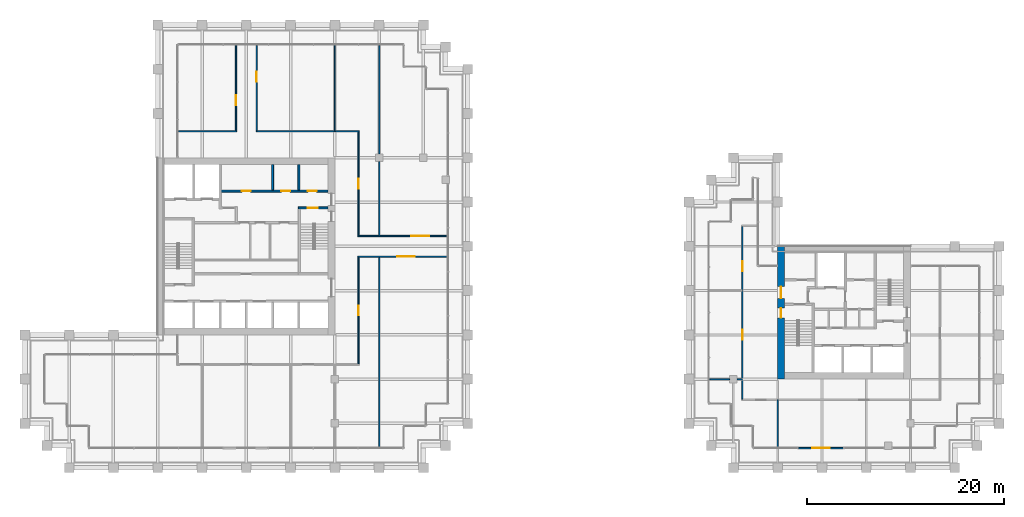
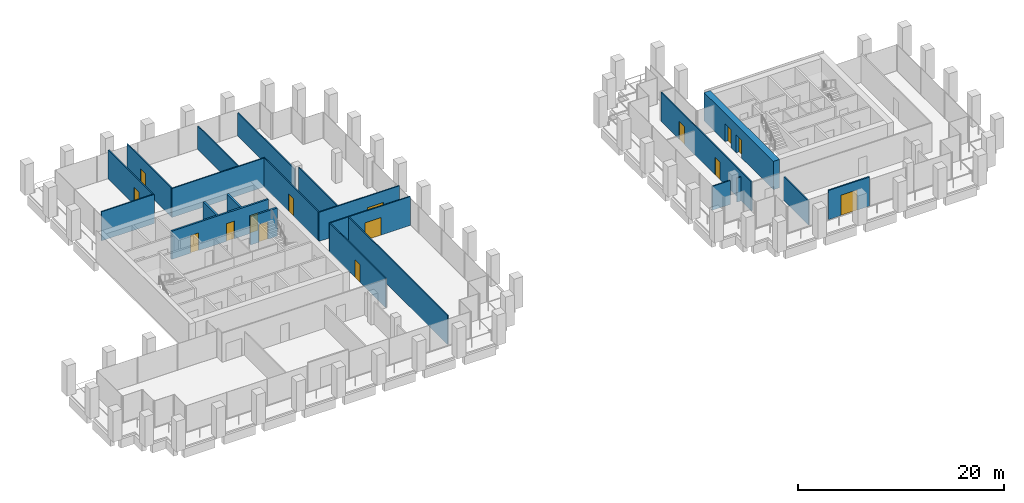
# One storey, part 42 of 46: 22 walls, 15 doors, 15 openings.
"""IFC4 building model written with IfcOpenShell, lengths in metres."""

from ifc_helpers import new_model, si_unit, direction, frame, frame_2d, origin, place, context, subcontext, project, spatial, rectangle, extrude, material, layer, layer_set, type_object, element, fill, save


model = new_model("IFC4")

# Units and contexts
model_context = context("Model", 3, precision=1e-05, world=origin(), true_north=direction((0.0, 1.0)))
body_context = subcontext(model_context, "Body", "Model", "MODEL_VIEW")
ifc_project = project(units=[si_unit("LENGTHUNIT", "METRE"), si_unit("AREAUNIT", "SQUARE_METRE"), si_unit("VOLUMEUNIT", "CUBIC_METRE"), si_unit("PLANEANGLEUNIT", "RADIAN"), si_unit("MASSUNIT", "GRAM", prefix="KILO")], contexts=[model_context])

# Site, building, storey
site_placement = place(None, origin())
site = spatial("IfcSite", under=ifc_project, at=site_placement, CompositionType="ELEMENT")
building_placement = place(site_placement, origin())
building = spatial("IfcBuilding", under=site, at=building_placement, Name="Altepetl Exchange Towers", CompositionType="ELEMENT")
storey_placement = place(building_placement, frame((0.0, 0.0, 102.800048828125)))
storey = spatial("IfcBuildingStorey", under=building, at=storey_placement, Name="L25", CompositionType="ELEMENT", Elevation=102.800048828125)

# Wall, openings, doors
ifc_material_1 = material(Name="Concrete C70/85", Category="concrete")
ifc_layer_1 = layer(ifc_material_1, 0.699951171875)
ifc_layer_set_1 = layer_set([ifc_layer_1], Name="Concrete C70/85")
wall_type_1 = type_object("IfcWallType", Name="Core wall 700 reinforced concrete", PredefinedType="SHEAR", material=ifc_layer_set_1)
wall_1_placement = place(storey_placement, frame((103.85009765625, 36.0, 0.0), z_axis=(0.0, 0.0, 1.0), x_axis=(0.0, 1.0, 0.0)))
wall_1 = element("IfcWall", 1, at=wall_1_placement, inside=storey, type_object=wall_type_1, Name="wall:B:L25:K-coreW", PredefinedType="SHEAR", context=body_context, shape_type="SweptSolid", body=[
    extrude(rectangle(XDim=13.5, YDim=0.699951171875, at=frame_2d((6.75, 0.0))), origin(), (0.0, 0.0, 1.0), 3.349853515625),
])
opening_1_placement = place(wall_1_placement, frame((8.199951171875, 0.0, 0.0)))
opening_1 = element("IfcOpeningElement", 2, at=opening_1_placement, cuts=wall_1, Name="Opening L25.B60", PredefinedType="OPENING", context=body_context, shape_type="SweptSolid", body=[
    extrude(rectangle(XDim=1.199951171875, YDim=2.10009765625, at=frame_2d((0.60009765625, 1.050048828125))), frame((0.0, 0.35986328125, 0.0), z_axis=(0.0, -1.0, 0.0), x_axis=(1.0, 0.0, 0.0)), (0.0, 0.0, 1.0), 0.719970703125),
])
opening_2_placement = place(wall_1_placement, frame((6.22509765625, 0.0, 0.0)))
opening_2 = element("IfcOpeningElement", 3, at=opening_2_placement, cuts=wall_1, Name="Opening L25.B63", PredefinedType="OPENING", context=body_context, shape_type="SweptSolid", body=[
    extrude(rectangle(XDim=1.0, YDim=2.10009765625, at=frame_2d((0.5, 1.050048828125))), frame((0.0, 0.35986328125, 0.0), z_axis=(0.0, -1.0, 0.0), x_axis=(1.0, 0.0, 0.0)), (0.0, 0.0, 1.0), 0.719970703125),
])
ifc_material_2 = material(Name="Steel and timber fire door", Category="steel")
door_type_1 = type_object("IfcDoorType", Name="Fire door 1000 x 2100 stair and lobby", OperationType="SINGLE_SWING_LEFT", PredefinedType="DOOR", material=ifc_material_2)
door_1_placement = place(opening_2_placement, frame((1.0, 0.0, 0.0), x_axis=(-1.0, 0.0, 0.0)))
door_1 = element("IfcDoor", 4, at=door_1_placement, inside=storey, type_object=door_type_1, Name="door:B:L25:K-dS1x", OperationType="SINGLE_SWING_RIGHT", OverallHeight=2.10009765625, OverallWidth=1.0, PredefinedType="DOOR", context=body_context, shape_type="SweptSolid", body=[
    extrude(rectangle(XDim=1.0, YDim=2.10009765625, at=frame_2d((0.5, 1.050048828125))), frame((0.0, 0.02490234375, 0.0), z_axis=(0.0, -1.0, 0.0), x_axis=(1.0, 0.0, 0.0)), (0.0, 0.0, 1.0), 0.050048828125),
])
fill(opening_2, door_1)
door_type_2 = type_object("IfcDoorType", Name="Fire door 1200 x 2100 lobby entry", OperationType="SINGLE_SWING_LEFT", PredefinedType="DOOR", material=ifc_material_2)
door_2_placement = place(opening_1_placement, frame((1.199951171875, 0.0, 0.0), x_axis=(-1.0, 0.0, 0.0)))
door_2 = element("IfcDoor", 5, at=door_2_placement, inside=storey, type_object=door_type_2, Name="door:B:L25:K-dLNW", OperationType="SINGLE_SWING_RIGHT", OverallHeight=2.10009765625, OverallWidth=1.199951171875, PredefinedType="DOOR", context=body_context, shape_type="SweptSolid", body=[
    extrude(rectangle(XDim=1.199951171875, YDim=2.10009765625, at=frame_2d((0.60009765625, 1.050048828125))), frame((0.0, 0.02490234375, 0.0), z_axis=(0.0, -1.0, 0.0), x_axis=(1.0, 0.0, 0.0)), (0.0, 0.0, 1.0), 0.050048828125),
])
fill(opening_1, door_2)

# Wall, opening, door
ifc_material_3 = material(Name="Aluminium composite cladding", Category="aluminium")
ifc_layer_2 = layer(ifc_material_3, 0.14990234375)
ifc_layer_set_2 = layer_set([ifc_layer_2], Name="Aluminium composite cladding")
wall_type_2 = type_object("IfcWallType", Name="Infill wall 150 aluminium panel", PredefinedType="SOLIDWALL", material=ifc_layer_set_2)
wall_2_placement = place(storey_placement, frame((105.606201171875, 29.0, 0.0)))
wall_2 = element("IfcWall", 6, at=wall_2_placement, inside=storey, type_object=wall_type_2, Name="Loggia door bay wall", PredefinedType="SOLIDWALL", context=body_context, shape_type="SweptSolid", body=[
    extrude(rectangle(XDim=4.606201171875, YDim=0.14990234375, at=frame_2d((2.30322265625, 0.0))), origin(), (0.0, 0.0, 1.0), 3.449951171875),
])
opening_3_placement = place(wall_2_placement, frame((1.403076171875, 0.0, 0.0)))
opening_3 = element("IfcOpeningElement", 7, at=opening_3_placement, cuts=wall_2, Name="Opening L25.B90", PredefinedType="OPENING", context=body_context, shape_type="SweptSolid", body=[
    extrude(rectangle(XDim=1.800048828125, YDim=2.39990234375, at=frame_2d((0.89990234375, 1.199951171875))), frame((0.0, 0.0849609375, 0.0), z_axis=(0.0, -1.0, 0.0), x_axis=(1.0, 0.0, 0.0)), (0.0, 0.0, 1.0), 0.169921875),
])
ifc_material_4 = material(Name="Aluminium 6063-T6 and glass", Category="aluminium")
door_type_3 = type_object("IfcDoorType", Name="Glazed door pair 1800x2400", OperationType="DOUBLE_DOOR_DOUBLE_SWING", PredefinedType="NOTDEFINED", material=ifc_material_4)
door_3_placement = place(opening_3_placement, frame((1.800048828125, 0.0, 0.0), x_axis=(-1.0, 0.0, 0.0)))
door_3 = element("IfcDoor", 8, at=door_3_placement, inside=storey, type_object=door_type_3, Name="Loggia door", OperationType="DOUBLE_DOOR_DOUBLE_SWING", OverallHeight=2.39990234375, OverallWidth=1.800048828125, PredefinedType="NOTDEFINED", context=body_context, shape_type="SweptSolid", body=[
    extrude(rectangle(XDim=1.800048828125, YDim=2.39990234375, at=frame_2d((0.89990234375, 1.199951171875))), frame((0.0, 0.02490234375, 0.0), z_axis=(0.0, -1.0, 0.0), x_axis=(1.0, 0.0, 0.0)), (0.0, 0.0, 1.0), 0.050048828125),
])
fill(opening_3, door_3)

# Wall
ifc_material_5 = material(Name="Timber panels on aluminium track", Category="wood")
ifc_layer_3 = layer(ifc_material_5, 0.125)
ifc_layer_set_3 = layer_set([ifc_layer_3], Name="Timber panels on aluminium track")
wall_type_3 = type_object("IfcWallType", Name="Operable acoustic partition 125", PredefinedType="MOVABLE", material=ifc_layer_set_3)
wall_3_placement = place(storey_placement, frame((58.5, 61.199951171875, 0.0), z_axis=(0.0, 0.0, 1.0), x_axis=(0.0, 1.0, 0.0)))
element("IfcWall", 9, at=wall_3_placement, inside=storey, type_object=wall_type_3, Name="wall:A:L25:P14", PredefinedType="MOVABLE", context=body_context, shape_type="SweptSolid", body=[
    extrude(rectangle(XDim=8.699951171875, YDim=0.125, at=frame_2d((4.35009765625, 0.0))), origin(), (0.0, 0.0, 1.0), 2.765869140625),
])

# Wall, opening, door
ifc_material_6 = material(Name="Gypsum board on steel studs", Category="steel")
ifc_layer_4 = layer(ifc_material_6, 0.125)
ifc_layer_set_4 = layer_set([ifc_layer_4], Name="Gypsum board on steel studs")
wall_type_4 = type_object("IfcWallType", Name="Partition 125 gypsum board on steel studs", PredefinedType="PARTITIONING", material=ifc_layer_set_4)
wall_4_placement = place(storey_placement, frame((60.83740234375, 48.449951171875, 0.0)))
wall_4 = element("IfcWall", 10, at=wall_4_placement, inside=storey, type_object=wall_type_4, Name="wall:A:L25:P02", PredefinedType="PARTITIONING", context=body_context, shape_type="SweptSolid", body=[
    extrude(rectangle(XDim=9.0625, YDim=0.125, at=frame_2d((4.53125, 0.0))), origin(), (0.0, 0.0, 1.0), 3.449951171875),
])
opening_4_placement = place(wall_4_placement, frame((3.9775390625, 0.0, 0.0)))
opening_4 = element("IfcOpeningElement", 11, at=opening_4_placement, cuts=wall_4, Name="Opening L25.A05", PredefinedType="OPENING", context=body_context, shape_type="SweptSolid", body=[
    extrude(rectangle(XDim=1.800048828125, YDim=2.10009765625, at=frame_2d((0.89990234375, 1.050048828125))), frame((0.0, 0.072509765625, 0.0), z_axis=(0.0, -1.0, 0.0), x_axis=(1.0, 0.0, 0.0)), (0.0, 0.0, 1.0), 0.14501953125),
])
door_type_4 = type_object("IfcDoorType", Name="Fire door 1800 x 2100 double leaf", OperationType="DOUBLE_DOOR_SINGLE_SWING", PredefinedType="DOOR", material=ifc_material_2)
door_4_placement = place(opening_4_placement, frame((1.800048828125, 0.0, 0.0), x_axis=(-1.0, 0.0, 0.0)))
door_4 = element("IfcDoor", 12, at=door_4_placement, inside=storey, type_object=door_type_4, Name="door:A:L25:05", OperationType="DOUBLE_DOOR_SINGLE_SWING", OverallHeight=2.10009765625, OverallWidth=1.800048828125, PredefinedType="DOOR", context=body_context, shape_type="SweptSolid", body=[
    extrude(rectangle(XDim=1.800048828125, YDim=2.10009765625, at=frame_2d((0.89990234375, 1.050048828125))), frame((0.0, 0.02490234375, 0.0), z_axis=(0.0, -1.0, 0.0), x_axis=(1.0, 0.0, 0.0)), (0.0, 0.0, 1.0), 0.050048828125),
])
fill(opening_4, door_4)

wall_5_placement = place(storey_placement, frame((60.83740234375, 50.550048828125, 0.0)))
wall_5 = element("IfcWall", 13, at=wall_5_placement, inside=storey, type_object=wall_type_4, Name="wall:A:L25:P03", PredefinedType="PARTITIONING", context=body_context, shape_type="SweptSolid", body=[
    extrude(rectangle(XDim=9.0625, YDim=0.125, at=frame_2d((4.53125, 0.0))), origin(), (0.0, 0.0, 1.0), 3.449951171875),
])
opening_5_placement = place(wall_5_placement, frame((5.447509765625, 0.0, 0.0)))
opening_5 = element("IfcOpeningElement", 14, at=opening_5_placement, cuts=wall_5, Name="Opening L25.A06", PredefinedType="OPENING", context=body_context, shape_type="SweptSolid", body=[
    extrude(rectangle(XDim=1.800048828125, YDim=2.10009765625, at=frame_2d((0.89990234375, 1.050048828125))), frame((0.0, 0.072509765625, 0.0), z_axis=(0.0, -1.0, 0.0), x_axis=(1.0, 0.0, 0.0)), (0.0, 0.0, 1.0), 0.14501953125),
])
door_5_placement = place(opening_5_placement, origin())
door_5 = element("IfcDoor", 15, at=door_5_placement, inside=storey, type_object=door_type_4, Name="door:A:L25:06", OperationType="DOUBLE_DOOR_SINGLE_SWING", OverallHeight=2.10009765625, OverallWidth=1.800048828125, PredefinedType="DOOR", context=body_context, shape_type="SweptSolid", body=[
    extrude(rectangle(XDim=1.800048828125, YDim=2.10009765625, at=frame_2d((0.89990234375, 1.050048828125))), frame((0.0, 0.02490234375, 0.0), z_axis=(0.0, -1.0, 0.0), x_axis=(1.0, 0.0, 0.0)), (0.0, 0.0, 1.0), 0.050048828125),
])
fill(opening_5, door_5)

# Walls
wall_6_placement = place(storey_placement, frame((42.60009765625, 61.199951171875, 0.0)))
element("IfcWall", 16, at=wall_6_placement, inside=storey, type_object=wall_type_4, Name="wall:A:L25:P04", PredefinedType="PARTITIONING", context=body_context, shape_type="SweptSolid", body=[
    extrude(rectangle(XDim=5.912353515625, YDim=0.125, at=frame_2d((2.9560546875, 0.0))), origin(), (0.0, 0.0, 1.0), 3.449951171875),
])
wall_7_placement = place(storey_placement, frame((50.487548828125, 61.199951171875, 0.0)))
element("IfcWall", 17, at=wall_7_placement, inside=storey, type_object=wall_type_4, Name="wall:A:L25:P05", PredefinedType="PARTITIONING", context=body_context, shape_type="SweptSolid", body=[
    extrude(rectangle(XDim=10.474853515625, YDim=0.125, at=frame_2d((5.2373046875, 0.0))), origin(), (0.0, 0.0, 1.0), 3.449951171875),
])

# Wall, opening, door
wall_8_placement = place(storey_placement, frame((48.449951171875, 61.262451171875, 0.0), z_axis=(0.0, 0.0, 1.0), x_axis=(0.0, 1.0, 0.0)))
wall_8 = element("IfcWall", 18, at=wall_8_placement, inside=storey, type_object=wall_type_4, Name="wall:A:L25:P08", PredefinedType="PARTITIONING", context=body_context, shape_type="SweptSolid", body=[
    extrude(rectangle(XDim=8.637451171875, YDim=0.125, at=frame_2d((4.31884765625, 0.0))), origin(), (0.0, 0.0, 1.0), 3.449951171875),
])
opening_6_placement = place(wall_8_placement, frame((2.597412109375, 0.0, 0.0)))
opening_6 = element("IfcOpeningElement", 19, at=opening_6_placement, cuts=wall_8, Name="Opening L25.A08", PredefinedType="OPENING", context=body_context, shape_type="SweptSolid", body=[
    extrude(rectangle(XDim=1.0, YDim=2.10009765625, at=frame_2d((0.5, 1.050048828125))), frame((0.0, 0.072509765625, 0.0), z_axis=(0.0, -1.0, 0.0), x_axis=(1.0, 0.0, 0.0)), (0.0, 0.0, 1.0), 0.14501953125),
])
door_type_5 = type_object("IfcDoorType", Name="Fire door 1000 x 2100 single leaf", OperationType="SINGLE_SWING_LEFT", PredefinedType="DOOR", material=ifc_material_2)
door_6_placement = place(opening_6_placement, origin())
door_6 = element("IfcDoor", 20, at=door_6_placement, inside=storey, type_object=door_type_5, Name="door:A:L25:08", OperationType="SINGLE_SWING_LEFT", OverallHeight=2.10009765625, OverallWidth=1.0, PredefinedType="DOOR", context=body_context, shape_type="SweptSolid", body=[
    extrude(rectangle(XDim=1.0, YDim=2.10009765625, at=frame_2d((0.5, 1.050048828125))), frame((0.0, 0.02490234375, 0.0), z_axis=(0.0, -1.0, 0.0), x_axis=(1.0, 0.0, 0.0)), (0.0, 0.0, 1.0), 0.050048828125),
])
fill(opening_6, door_6)

wall_9_placement = place(storey_placement, frame((50.550048828125, 61.262451171875, 0.0), z_axis=(0.0, 0.0, 1.0), x_axis=(0.0, 1.0, 0.0)))
wall_9 = element("IfcWall", 21, at=wall_9_placement, inside=storey, type_object=wall_type_4, Name="wall:A:L25:P09", PredefinedType="PARTITIONING", context=body_context, shape_type="SweptSolid", body=[
    extrude(rectangle(XDim=8.637451171875, YDim=0.125, at=frame_2d((4.31884765625, 0.0))), origin(), (0.0, 0.0, 1.0), 3.449951171875),
])
opening_7_placement = place(wall_9_placement, frame((4.9775390625, 0.0, 0.0)))
opening_7 = element("IfcOpeningElement", 22, at=opening_7_placement, cuts=wall_9, Name="Opening L25.A09", PredefinedType="OPENING", context=body_context, shape_type="SweptSolid", body=[
    extrude(rectangle(XDim=1.0, YDim=2.10009765625, at=frame_2d((0.5, 1.050048828125))), frame((0.0, 0.072509765625, 0.0), z_axis=(0.0, -1.0, 0.0), x_axis=(1.0, 0.0, 0.0)), (0.0, 0.0, 1.0), 0.14501953125),
])
door_7_placement = place(opening_7_placement, frame((1.0, 0.0, 0.0), x_axis=(-1.0, 0.0, 0.0)))
door_7 = element("IfcDoor", 23, at=door_7_placement, inside=storey, type_object=door_type_5, Name="door:A:L25:09", OperationType="SINGLE_SWING_RIGHT", OverallHeight=2.10009765625, OverallWidth=1.0, PredefinedType="DOOR", context=body_context, shape_type="SweptSolid", body=[
    extrude(rectangle(XDim=1.0, YDim=2.10009765625, at=frame_2d((0.5, 1.050048828125))), frame((0.0, 0.02490234375, 0.0), z_axis=(0.0, -1.0, 0.0), x_axis=(1.0, 0.0, 0.0)), (0.0, 0.0, 1.0), 0.050048828125),
])
fill(opening_7, door_7)

wall_10_placement = place(storey_placement, frame((60.89990234375, 37.5625, 0.0), z_axis=(0.0, 0.0, 1.0), x_axis=(0.0, 1.0, 0.0)))
wall_10 = element("IfcWall", 24, at=wall_10_placement, inside=storey, type_object=wall_type_4, Name="wall:A:L25:P15", PredefinedType="PARTITIONING", context=body_context, shape_type="SweptSolid", body=[
    extrude(rectangle(XDim=10.824951171875, YDim=0.125, at=frame_2d((5.41259765625, 0.0))), origin(), (0.0, 0.0, 1.0), 3.449951171875),
])
opening_8_placement = place(wall_10_placement, frame((4.91259765625, 0.0, 0.0)))
opening_8 = element("IfcOpeningElement", 25, at=opening_8_placement, cuts=wall_10, Name="Opening L25.A04", PredefinedType="OPENING", context=body_context, shape_type="SweptSolid", body=[
    extrude(rectangle(XDim=1.0, YDim=2.10009765625, at=frame_2d((0.5, 1.050048828125))), frame((0.0, 0.072509765625, 0.0), z_axis=(0.0, -1.0, 0.0), x_axis=(1.0, 0.0, 0.0)), (0.0, 0.0, 1.0), 0.14501953125),
])
door_8_placement = place(opening_8_placement, frame((1.0, 0.0, 0.0), x_axis=(-1.0, 0.0, 0.0)))
door_8 = element("IfcDoor", 26, at=door_8_placement, inside=storey, type_object=door_type_5, Name="door:A:L25:04", OperationType="SINGLE_SWING_RIGHT", OverallHeight=2.10009765625, OverallWidth=1.0, PredefinedType="DOOR", context=body_context, shape_type="SweptSolid", body=[
    extrude(rectangle(XDim=1.0, YDim=2.10009765625, at=frame_2d((0.5, 1.050048828125))), frame((0.0, 0.02490234375, 0.0), z_axis=(0.0, -1.0, 0.0), x_axis=(1.0, 0.0, 0.0)), (0.0, 0.0, 1.0), 0.050048828125),
])
fill(opening_8, door_8)

wall_11_placement = place(storey_placement, frame((60.89990234375, 50.612548828125, 0.0), z_axis=(0.0, 0.0, 1.0), x_axis=(0.0, 1.0, 0.0)))
wall_11 = element("IfcWall", 27, at=wall_11_placement, inside=storey, type_object=wall_type_4, Name="wall:A:L25:P16", PredefinedType="PARTITIONING", context=body_context, shape_type="SweptSolid", body=[
    extrude(rectangle(XDim=10.52490234375, YDim=0.125, at=frame_2d((5.262451171875, 0.0))), origin(), (0.0, 0.0, 1.0), 3.449951171875),
])
opening_9_placement = place(wall_11_placement, frame((4.762451171875, 0.0, 0.0)))
opening_9 = element("IfcOpeningElement", 28, at=opening_9_placement, cuts=wall_11, Name="Opening L25.A07", PredefinedType="OPENING", context=body_context, shape_type="SweptSolid", body=[
    extrude(rectangle(XDim=1.0, YDim=2.10009765625, at=frame_2d((0.5, 1.050048828125))), frame((0.0, 0.072509765625, 0.0), z_axis=(0.0, -1.0, 0.0), x_axis=(1.0, 0.0, 0.0)), (0.0, 0.0, 1.0), 0.14501953125),
])
door_9_placement = place(opening_9_placement, frame((1.0, 0.0, 0.0), x_axis=(-1.0, 0.0, 0.0)))
door_9 = element("IfcDoor", 29, at=door_9_placement, inside=storey, type_object=door_type_5, Name="door:A:L25:07", OperationType="SINGLE_SWING_RIGHT", OverallHeight=2.10009765625, OverallWidth=1.0, PredefinedType="DOOR", context=body_context, shape_type="SweptSolid", body=[
    extrude(rectangle(XDim=1.0, YDim=2.10009765625, at=frame_2d((0.5, 1.050048828125))), frame((0.0, 0.02490234375, 0.0), z_axis=(0.0, -1.0, 0.0), x_axis=(1.0, 0.0, 0.0)), (0.0, 0.0, 1.0), 0.050048828125),
])
fill(opening_9, door_9)

# Walls
wall_12_placement = place(storey_placement, frame((63.0, 29.10009765625, 0.0), z_axis=(0.0, 0.0, 1.0), x_axis=(0.0, 1.0, 0.0)))
element("IfcWall", 30, at=wall_12_placement, inside=storey, type_object=wall_type_4, Name="wall:A:L25:P17", PredefinedType="PARTITIONING", context=body_context, shape_type="SweptSolid", body=[
    extrude(rectangle(XDim=19.349853515625, YDim=0.125, at=frame_2d((9.6748046875, 0.0))), origin(), (0.0, 0.0, 1.0), 3.449951171875),
])
wall_13_placement = place(storey_placement, frame((63.0, 50.550048828125, 0.0), z_axis=(0.0, 0.0, 1.0), x_axis=(0.0, 1.0, 0.0)))
element("IfcWall", 31, at=wall_13_placement, inside=storey, type_object=wall_type_4, Name="wall:A:L25:P18", PredefinedType="PARTITIONING", context=body_context, shape_type="SweptSolid", body=[
    extrude(rectangle(XDim=7.574951171875, YDim=0.125, at=frame_2d((3.78759765625, 0.0))), origin(), (0.0, 0.0, 1.0), 3.449951171875),
])
wall_14_placement = place(storey_placement, frame((63.0, 58.875, 0.0), z_axis=(0.0, 0.0, 1.0), x_axis=(0.0, 1.0, 0.0)))
element("IfcWall", 32, at=wall_14_placement, inside=storey, type_object=wall_type_4, Name="wall:A:L25:P19", PredefinedType="PARTITIONING", context=body_context, shape_type="SweptSolid", body=[
    extrude(rectangle(XDim=11.02490234375, YDim=0.125, at=frame_2d((5.512451171875, 0.0))), origin(), (0.0, 0.0, 1.0), 2.765869140625),
])
wall_15_placement = place(storey_placement, frame((96.60009765625, 36.0, 0.0)))
element("IfcWall", 33, at=wall_15_placement, inside=storey, type_object=wall_type_4, Name="wall:B:L25:P02", PredefinedType="PARTITIONING", context=body_context, shape_type="SweptSolid", body=[
    extrude(rectangle(XDim=2.02490234375, YDim=0.125, at=frame_2d((1.012451171875, 0.0))), origin(), (0.0, 0.0, 1.0), 2.842041015625),
])
wall_16_placement = place(storey_placement, frame((99.375, 36.0, 0.0)))
element("IfcWall", 34, at=wall_16_placement, inside=storey, type_object=wall_type_4, Name="wall:B:L25:P03", PredefinedType="PARTITIONING", context=body_context, shape_type="SweptSolid", body=[
    extrude(rectangle(XDim=0.52490234375, YDim=0.125, at=frame_2d((0.262451171875, 0.0))), origin(), (0.0, 0.0, 1.0), 2.842041015625),
])

# Wall, openings, doors
wall_17_placement = place(storey_placement, frame((99.89990234375, 33.96240234375, 0.0), z_axis=(0.0, 0.0, 1.0), x_axis=(0.0, 1.0, 0.0)))
wall_17 = element("IfcWall", 35, at=wall_17_placement, inside=storey, type_object=wall_type_4, Name="wall:B:L25:P06", PredefinedType="PARTITIONING", context=body_context, shape_type="SweptSolid", body=[
    extrude(rectangle(XDim=17.5751953125, YDim=0.125, at=frame_2d((8.78759765625, 0.0))), origin(), (0.0, 0.0, 1.0), 3.449951171875),
])
opening_10_placement = place(wall_17_placement, frame((6.03759765625, 0.0, 0.0)))
opening_10 = element("IfcOpeningElement", 36, at=opening_10_placement, cuts=wall_17, Name="Opening L25.B01", PredefinedType="OPENING", context=body_context, shape_type="SweptSolid", body=[
    extrude(rectangle(XDim=1.0, YDim=2.10009765625, at=frame_2d((0.5, 1.050048828125))), frame((0.0, 0.072509765625, 0.0), z_axis=(0.0, -1.0, 0.0), x_axis=(1.0, 0.0, 0.0)), (0.0, 0.0, 1.0), 0.14501953125),
])
opening_11_placement = place(wall_17_placement, frame((13.014404296875, 0.0, 0.0)))
opening_11 = element("IfcOpeningElement", 37, at=opening_11_placement, cuts=wall_17, Name="Opening L25.B05", PredefinedType="OPENING", context=body_context, shape_type="SweptSolid", body=[
    extrude(rectangle(XDim=1.0, YDim=2.10009765625, at=frame_2d((0.5, 1.050048828125))), frame((0.0, 0.072509765625, 0.0), z_axis=(0.0, -1.0, 0.0), x_axis=(1.0, 0.0, 0.0)), (0.0, 0.0, 1.0), 0.14501953125),
])
door_10_placement = place(opening_10_placement, origin())
door_10 = element("IfcDoor", 38, at=door_10_placement, inside=storey, type_object=door_type_5, Name="door:B:L25:01", OperationType="SINGLE_SWING_LEFT", OverallHeight=2.10009765625, OverallWidth=1.0, PredefinedType="DOOR", context=body_context, shape_type="SweptSolid", body=[
    extrude(rectangle(XDim=1.0, YDim=2.10009765625, at=frame_2d((0.5, 1.050048828125))), frame((0.0, 0.02490234375, 0.0), z_axis=(0.0, -1.0, 0.0), x_axis=(1.0, 0.0, 0.0)), (0.0, 0.0, 1.0), 0.050048828125),
])
fill(opening_10, door_10)
door_11_placement = place(opening_11_placement, origin())
door_11 = element("IfcDoor", 39, at=door_11_placement, inside=storey, type_object=door_type_5, Name="door:B:L25:05", OperationType="SINGLE_SWING_RIGHT", OverallHeight=2.10009765625, OverallWidth=1.0, PredefinedType="DOOR", context=body_context, shape_type="SweptSolid", body=[
    extrude(rectangle(XDim=1.0, YDim=2.10009765625, at=frame_2d((0.5, 1.050048828125))), frame((0.0, 0.02490234375, 0.0), z_axis=(0.0, -1.0, 0.0), x_axis=(1.0, 0.0, 0.0)), (0.0, 0.0, 1.0), 0.050048828125),
])
fill(opening_11, door_11)

# Walls
wall_18_placement = place(storey_placement, frame((103.5, 29.10009765625, 0.0), z_axis=(0.0, 0.0, 1.0), x_axis=(0.0, 1.0, 0.0)))
element("IfcWall", 40, at=wall_18_placement, inside=storey, type_object=wall_type_4, Name="wall:B:L25:P07", PredefinedType="PARTITIONING", context=body_context, shape_type="SweptSolid", body=[
    extrude(rectangle(XDim=4.7998046875, YDim=0.125, at=frame_2d((2.39990234375, 0.0))), origin(), (0.0, 0.0, 1.0), 2.850830078125),
])
ifc_material_7 = material(Name="Concrete C40/50", Category="concrete")
ifc_layer_5 = layer(ifc_material_7, 0.199951171875)
ifc_layer_set_5 = layer_set([ifc_layer_5], Name="Concrete C40/50")
wall_type_5 = type_object("IfcWallType", Name="Shaft wall 200 reinforced concrete", PredefinedType="SHEAR", material=ifc_layer_set_5)
for number, where, z_axis, x_axis, name in (
    (41, (52.166748046875, 57.800048828125, 0.0), (0.0, 0.0, 1.0), (0.0, -1.0, 0.0), "wall:A:L25:K-divN4"),
    (42, (54.833251953125, 57.800048828125, 0.0), (0.0, 0.0, 1.0), (0.0, -1.0, 0.0), "wall:A:L25:K-divN5"),
):
    element("IfcWall", number, at=place(storey_placement, frame(where, z_axis=z_axis, x_axis=x_axis)), inside=storey, type_object=wall_type_5, Name=name, PredefinedType="SHEAR", context=body_context, shape_type="SweptSolid", body=[
        extrude(rectangle(XDim=2.60009765625, YDim=0.199951171875, at=frame_2d((1.300048828125, 0.0))), origin(), (0.0, 0.0, 1.0), 3.349853515625),
    ])

# Wall, openings, doors
wall_19_placement = place(storey_placement, frame((46.933349609375, 55.10009765625, 0.0)))
wall_19 = element("IfcWall", 43, at=wall_19_placement, inside=storey, type_object=wall_type_5, Name="wall:A:L25:K-frontNb", PredefinedType="SHEAR", context=body_context, shape_type="SweptSolid", body=[
    extrude(rectangle(XDim=10.86669921875, YDim=0.199951171875, at=frame_2d((5.433349609375, 0.0))), origin(), (0.0, 0.0, 1.0), 3.349853515625),
])
opening_12_placement = place(wall_19_placement, frame((8.83349609375, 0.0, 0.0)))
opening_12 = element("IfcOpeningElement", 44, at=opening_12_placement, cuts=wall_19, Name="Opening L25.A66", PredefinedType="OPENING", context=body_context, shape_type="SweptSolid", body=[
    extrude(rectangle(XDim=0.89990234375, YDim=2.10009765625, at=frame_2d((0.449951171875, 1.050048828125))), frame((0.0, 0.10986328125, 0.0), z_axis=(0.0, -1.0, 0.0), x_axis=(1.0, 0.0, 0.0)), (0.0, 0.0, 1.0), 0.219970703125),
])
opening_13_placement = place(wall_19_placement, frame((2.11669921875, 0.0, 0.0)))
opening_13 = element("IfcOpeningElement", 45, at=opening_13_placement, cuts=wall_19, Name="Opening L25.A67", PredefinedType="OPENING", context=body_context, shape_type="SweptSolid", body=[
    extrude(rectangle(XDim=0.89990234375, YDim=2.10009765625, at=frame_2d((0.449951171875, 1.050048828125))), frame((0.0, 0.10986328125, 0.0), z_axis=(0.0, -1.0, 0.0), x_axis=(1.0, 0.0, 0.0)), (0.0, 0.0, 1.0), 0.219970703125),
])
opening_14_placement = place(wall_19_placement, frame((6.11669921875, 0.0, 0.0)))
opening_14 = element("IfcOpeningElement", 46, at=opening_14_placement, cuts=wall_19, Name="Opening L25.A68", PredefinedType="OPENING", context=body_context, shape_type="SweptSolid", body=[
    extrude(rectangle(XDim=0.89990234375, YDim=2.10009765625, at=frame_2d((0.449951171875, 1.050048828125))), frame((0.0, 0.10986328125, 0.0), z_axis=(0.0, -1.0, 0.0), x_axis=(1.0, 0.0, 0.0)), (0.0, 0.0, 1.0), 0.219970703125),
])
door_type_6 = type_object("IfcDoorType", Name="Fire door 900 x 2100 service room", OperationType="SINGLE_SWING_LEFT", PredefinedType="DOOR", material=ifc_material_2)
door_12_placement = place(opening_12_placement, origin())
door_12 = element("IfcDoor", 47, at=door_12_placement, inside=storey, type_object=door_type_6, Name="door:A:L25:K-driser", OperationType="SINGLE_SWING_RIGHT", OverallHeight=2.10009765625, OverallWidth=0.89990234375, PredefinedType="DOOR", context=body_context, shape_type="SweptSolid", body=[
    extrude(rectangle(XDim=0.89990234375, YDim=2.10009765625, at=frame_2d((0.449951171875, 1.050048828125))), frame((0.0, 0.02490234375, 0.0), z_axis=(0.0, -1.0, 0.0), x_axis=(1.0, 0.0, 0.0)), (0.0, 0.0, 1.0), 0.050048828125),
])
fill(opening_12, door_12)
door_13_placement = place(opening_13_placement, origin())
door_13 = element("IfcDoor", 48, at=door_13_placement, inside=storey, type_object=door_type_6, Name="door:A:L25:K-dslotN2", OperationType="SINGLE_SWING_RIGHT", OverallHeight=2.10009765625, OverallWidth=0.89990234375, PredefinedType="DOOR", context=body_context, shape_type="SweptSolid", body=[
    extrude(rectangle(XDim=0.89990234375, YDim=2.10009765625, at=frame_2d((0.449951171875, 1.050048828125))), frame((0.0, 0.02490234375, 0.0), z_axis=(0.0, -1.0, 0.0), x_axis=(1.0, 0.0, 0.0)), (0.0, 0.0, 1.0), 0.050048828125),
])
fill(opening_13, door_13)
door_14_placement = place(opening_14_placement, origin())
door_14 = element("IfcDoor", 49, at=door_14_placement, inside=storey, type_object=door_type_6, Name="door:A:L25:K-dslotN4", OperationType="SINGLE_SWING_RIGHT", OverallHeight=2.10009765625, OverallWidth=0.89990234375, PredefinedType="DOOR", context=body_context, shape_type="SweptSolid", body=[
    extrude(rectangle(XDim=0.89990234375, YDim=2.10009765625, at=frame_2d((0.449951171875, 1.050048828125))), frame((0.0, 0.02490234375, 0.0), z_axis=(0.0, -1.0, 0.0), x_axis=(1.0, 0.0, 0.0)), (0.0, 0.0, 1.0), 0.050048828125),
])
fill(opening_14, door_14)

# Wall, opening, door
ifc_layer_6 = layer(ifc_material_7, 0.199951171875)
ifc_layer_set_6 = layer_set([ifc_layer_6], Name="Concrete C40/50")
wall_type_6 = type_object("IfcWallType", Name="Stair wall 200 reinforced concrete", PredefinedType="SHEAR", material=ifc_layer_set_6)
wall_20_placement = place(storey_placement, frame((54.800048828125, 53.39990234375, 0.0)))
wall_20 = element("IfcWall", 50, at=wall_20_placement, inside=storey, type_object=wall_type_6, Name="wall:A:L25:K-stS2N", PredefinedType="SHEAR", context=body_context, shape_type="SweptSolid", body=[
    extrude(rectangle(XDim=3.0, YDim=0.199951171875, at=frame_2d((1.5, 0.0))), origin(), (0.0, 0.0, 1.0), 3.349853515625),
])
opening_15_placement = place(wall_20_placement, frame((0.949951171875, 0.0, 0.0)))
opening_15 = element("IfcOpeningElement", 51, at=opening_15_placement, cuts=wall_20, Name="Opening L25.A63", PredefinedType="OPENING", context=body_context, shape_type="SweptSolid", body=[
    extrude(rectangle(XDim=1.0, YDim=2.10009765625, at=frame_2d((0.5, 1.050048828125))), frame((0.0, 0.10986328125, 0.0), z_axis=(0.0, -1.0, 0.0), x_axis=(1.0, 0.0, 0.0)), (0.0, 0.0, 1.0), 0.219970703125),
])
door_15_placement = place(opening_15_placement, frame((1.0, 0.0, 0.0), x_axis=(-1.0, 0.0, 0.0)))
door_15 = element("IfcDoor", 52, at=door_15_placement, inside=storey, type_object=door_type_1, Name="door:A:L25:K-dS2in", OperationType="SINGLE_SWING_LEFT", OverallHeight=2.10009765625, OverallWidth=1.0, PredefinedType="DOOR", context=body_context, shape_type="SweptSolid", body=[
    extrude(rectangle(XDim=1.0, YDim=2.10009765625, at=frame_2d((0.5, 1.050048828125))), frame((0.0, 0.02490234375, 0.0), z_axis=(0.0, -1.0, 0.0), x_axis=(1.0, 0.0, 0.0)), (0.0, 0.0, 1.0), 0.050048828125),
])
fill(opening_15, door_15)

save(model, "model.ifc")
